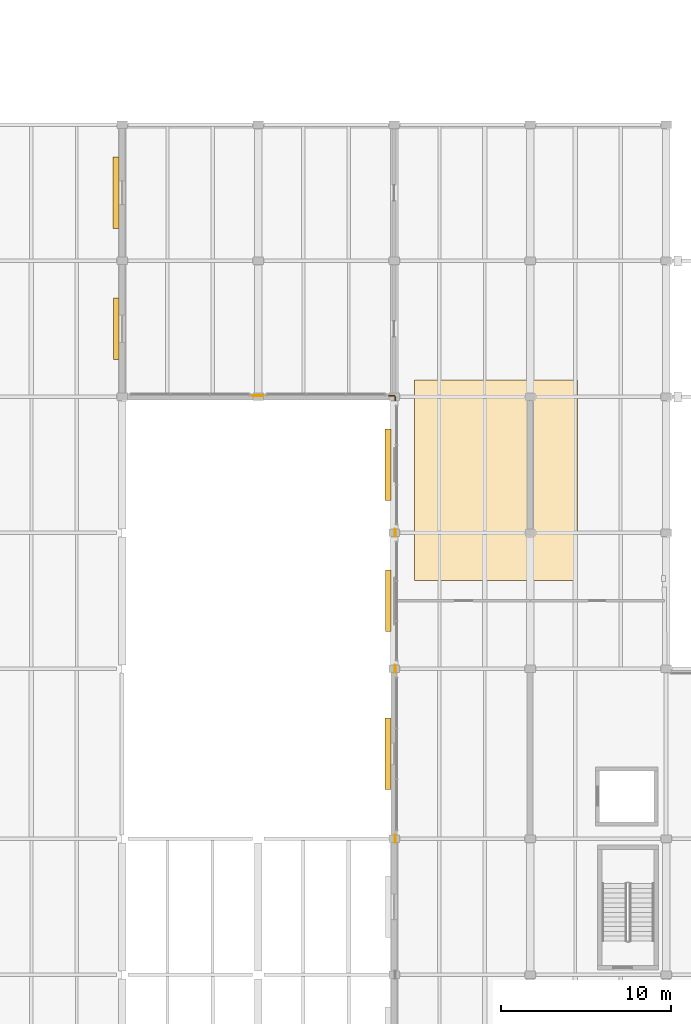
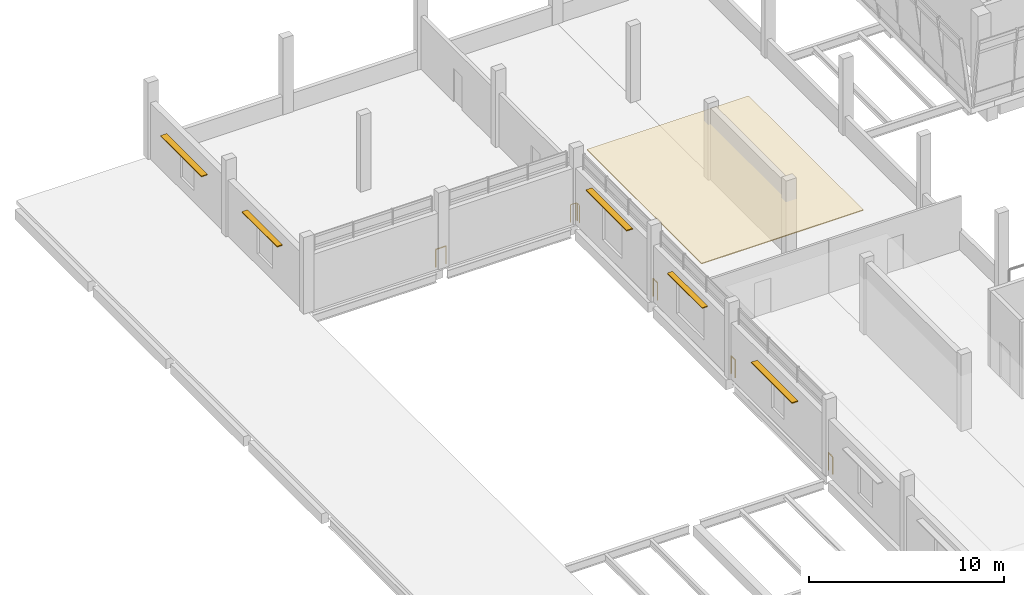
# One storey, part 43 of 52: 5 railings, 5 shading devices, 1 covering.
"""IFC4 building model written with IfcOpenShell, lengths in metres."""

from ifc_helpers import new_model, si_unit, direction, frame, origin, origin_2d, place, context, subcontext, project, spatial, polyline, rectangle, circle, outline, extrude, material, layer, layer_set, type_object, element, save


model = new_model("IFC4")

# Units and contexts
model_context = context("Model", 3, precision=1e-05, world=origin(), true_north=direction((0.0, 1.0)))
body_context = subcontext(model_context, "Body", "Model", "MODEL_VIEW")
ifc_project = project(units=[si_unit("LENGTHUNIT", "METRE"), si_unit("AREAUNIT", "SQUARE_METRE"), si_unit("VOLUMEUNIT", "CUBIC_METRE"), si_unit("PLANEANGLEUNIT", "RADIAN"), si_unit("MASSUNIT", "GRAM", prefix="KILO")], contexts=[model_context])

# Site, building, storey
site_placement = place(None, origin())
site = spatial("IfcSite", under=ifc_project, at=site_placement, CompositionType="ELEMENT")
building_placement = place(site_placement, origin())
building = spatial("IfcBuilding", under=site, at=building_placement, Name="Pecanmere Concourse Central Library", CompositionType="ELEMENT")
storey_placement = place(building_placement, frame((0.0, 0.0, 10.5)))
storey = spatial("IfcBuildingStorey", under=building, at=storey_placement, Name="L03", CompositionType="ELEMENT", Elevation=10.5)

# Covering
ifc_material_1 = material(Name="Solid white oak architectural joinery")
ifc_layer = layer(ifc_material_1, 0.054931640625, Name="COV_CEIL_OAK_COFF")
ifc_layer_set = layer_set([ifc_layer], Name="Solid white oak architectural joinery")
covering_type = type_object("IfcCoveringType", Name="COV_CEIL_OAK_COFF", PredefinedType="CEILING", material=ifc_layer_set)
covering_placement = place(storey_placement, frame((0.0, 0.0, 3.429931640625)))
element("IfcCovering", 1, at=covering_placement, inside=storey, type_object=covering_type, Name="Acoustic Coffered Ceiling L03-014", PredefinedType="CEILING", context=body_context, shape_type="SweptSolid", body=[
    extrude(outline(polyline([(49.199951171875, 79.199951171875), (58.800048828125, 79.199951171875), (58.800048828125, 91.0), (49.199951171875, 91.0), (49.199951171875, 79.199951171875)])), origin(), (0.0, 0.0, 1.0), 0.05517578125),
])

# Railings
ifc_material_2 = material(Name="Architectural anodized bronze")
railing_type = type_object("IfcRailingType", Name="RAIL_ATRIUM_BAL", PredefinedType="BALUSTRADE", material=ifc_material_2)
for number, where, name in (
    (2, (48.0703125, 63.784912109375, 0.0), "Deck Edge Protective Balustrade L03-130"),
    (3, (48.070068359375, 73.784912109375, 0.0), "Deck Edge Protective Balustrade L03-131"),
    (4, (48.070068359375, 81.784912109375, 0.0), "Deck Edge Protective Balustrade L03-132"),
):
    element("IfcRailing", number, at=place(storey_placement, frame(where)), inside=storey, type_object=railing_type, Name=name, PredefinedType="BALUSTRADE", context=body_context, shape_type="SweptSolid", body=[
        extrude(circle(Radius=0.02392578125, at=origin_2d()), frame((0.0, 0.0, 1.09619140625), z_axis=(0.0, 1.0, 0.0), x_axis=(-1.0, 0.0, 0.0)), (0.0, 0.0, 1.0), 0.43017578125),
        extrude(circle(Radius=0.02099609375, at=origin_2d()), origin(), (0.0, 0.0, 1.0), 1.072021484375),
        extrude(circle(Radius=0.02099609375, at=origin_2d()), frame((0.0, 0.43017578125, 0.0)), (0.0, 0.0, 1.0), 1.072021484375),
    ])
railing_1_placement = place(storey_placement, frame((48.070068359375, 89.784912109375, 0.0)))
element("IfcRailing", 5, at=railing_1_placement, inside=storey, type_object=railing_type, Name="Deck Edge Protective Balustrade L03-133", PredefinedType="BALUSTRADE", context=body_context, shape_type="SweptSolid", body=[
    extrude(circle(Radius=0.02392578125, at=origin_2d()), frame((0.0, 0.0, 1.09619140625), z_axis=(-0.002304141349, 0.999997345463, 0.0), x_axis=(-0.999997345463, -0.002304141349, 0.0)), (0.0, 0.0, 1.0), 0.2119140625),
    extrude(circle(Radius=0.02392578125, at=origin_2d()), frame((-0.00048828125, 0.2119140625, 1.09619140625), z_axis=(-0.591491231767, 0.806311430369, 0.0), x_axis=(-0.806311430369, -0.591491231767, 0.0)), (0.0, 0.0, 1.0), 0.0830078125),
    extrude(circle(Radius=0.02392578125, at=origin_2d()), frame((-0.049560546875, 0.27880859375, 1.09619140625), z_axis=(-0.99980983416, 0.019501167058, 0.0), x_axis=(-0.019501167058, -0.99980983416, 0.0)), (0.0, 0.0, 1.0), 0.325439453125),
    extrude(circle(Radius=0.02099609375, at=origin_2d()), origin(), (0.0, 0.0, 1.0), 1.072021484375),
    extrude(circle(Radius=0.02099609375, at=origin_2d()), frame((-0.00048828125, 0.2119140625, 0.0)), (0.0, 0.0, 1.0), 1.072021484375),
    extrude(circle(Radius=0.02099609375, at=origin_2d()), frame((-0.049560546875, 0.27880859375, 0.0)), (0.0, 0.0, 1.0), 1.072021484375),
    extrude(circle(Radius=0.02099609375, at=origin_2d()), frame((-0.375, 0.28515625, 0.0)), (0.0, 0.0, 1.0), 1.072021484375),
])
railing_2_placement = place(storey_placement, frame((40.304931640625, 90.070068359375, 0.0)))
element("IfcRailing", 6, at=railing_2_placement, inside=storey, type_object=railing_type, Name="Deck Edge Protective Balustrade L03-134", PredefinedType="BALUSTRADE", context=body_context, shape_type="SweptSolid", body=[
    extrude(circle(Radius=0.02392578125, at=origin_2d()), frame((0.0, 0.0, 1.09619140625), z_axis=(-1.0, 0.0, 0.0), x_axis=(0.0, -1.0, 0.0)), (0.0, 0.0, 1.0), 0.60986328125),
    extrude(circle(Radius=0.02099609375, at=origin_2d()), origin(), (0.0, 0.0, 1.0), 1.072021484375),
    extrude(circle(Radius=0.02099609375, at=origin_2d()), frame((-0.60986328125, 0.0, 0.0)), (0.0, 0.0, 1.0), 1.072021484375),
])

# Shading devices
ifc_material_3 = material(Name="Architectural anodized bronze")
shading_device_type_1 = type_object("IfcShadingDeviceType", Name="SHD_BRISE_1", PredefinedType="AWNING", material=ifc_material_3)
for number, where, z_axis, x_axis, name in (
    (7, (47.64501953125, 69.0, 2.75), (0.0, 0.0, 1.0), (0.0, -1.0, 0.0), "Bronze Solar Brise-Soleil L03-054"),
    (8, (47.64501953125, 86.0, 3.25), (0.0, 0.0, 1.0), (0.0, -1.0, 0.0), "Bronze Solar Brise-Soleil L03-056"),
    (9, (31.64501953125, 102.0, 2.550048828125), (0.0, 0.0, 1.0), (0.0, -1.0, 0.0), "Bronze Solar Brise-Soleil L03-058"),
):
    element("IfcShadingDevice", number, at=place(storey_placement, frame(where, z_axis=z_axis, x_axis=x_axis)), inside=storey, type_object=shading_device_type_1, Name=name, PredefinedType="AWNING", context=body_context, shape_type="SweptSolid", body=[
        extrude(rectangle(XDim=4.199951171875, YDim=0.360107421875, at=origin_2d()), origin(), (0.0, 0.0, 1.0), 0.06005859375),
    ])
ifc_material_4 = material(Name="Architectural anodized bronze")
shading_device_type_2 = type_object("IfcShadingDeviceType", Name="SHD_BRISE_2", PredefinedType="AWNING", material=ifc_material_4)
for number, where, z_axis, x_axis, name in (
    (10, (47.6650390625, 78.0, 3.052734375), (0.0, 0.0, 1.0), (0.0, -1.0, 0.0), "Bronze Solar Brise-Soleil L03-055"),
    (11, (31.6650390625, 94.0, 2.802734375), (0.0, 0.0, 1.0), (0.0, -1.0, 0.0), "Bronze Solar Brise-Soleil L03-057"),
):
    element("IfcShadingDevice", number, at=place(storey_placement, frame(where, z_axis=z_axis, x_axis=x_axis)), inside=storey, type_object=shading_device_type_2, Name=name, PredefinedType="AWNING", context=body_context, shape_type="SweptSolid", body=[
        extrude(rectangle(XDim=3.60009765625, YDim=0.320068359375, at=origin_2d()), origin(), (0.0, 0.0, 1.0), 0.054931640625),
    ])

save(model, "model.ifc")
